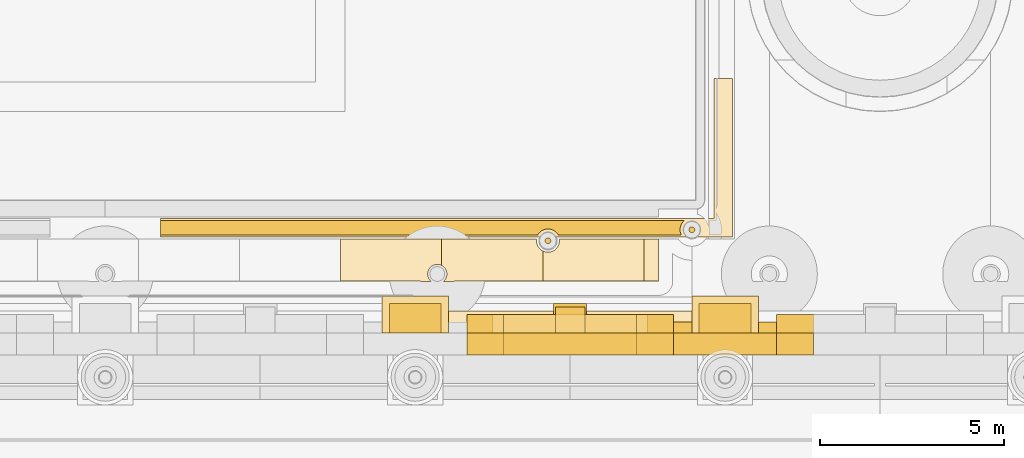
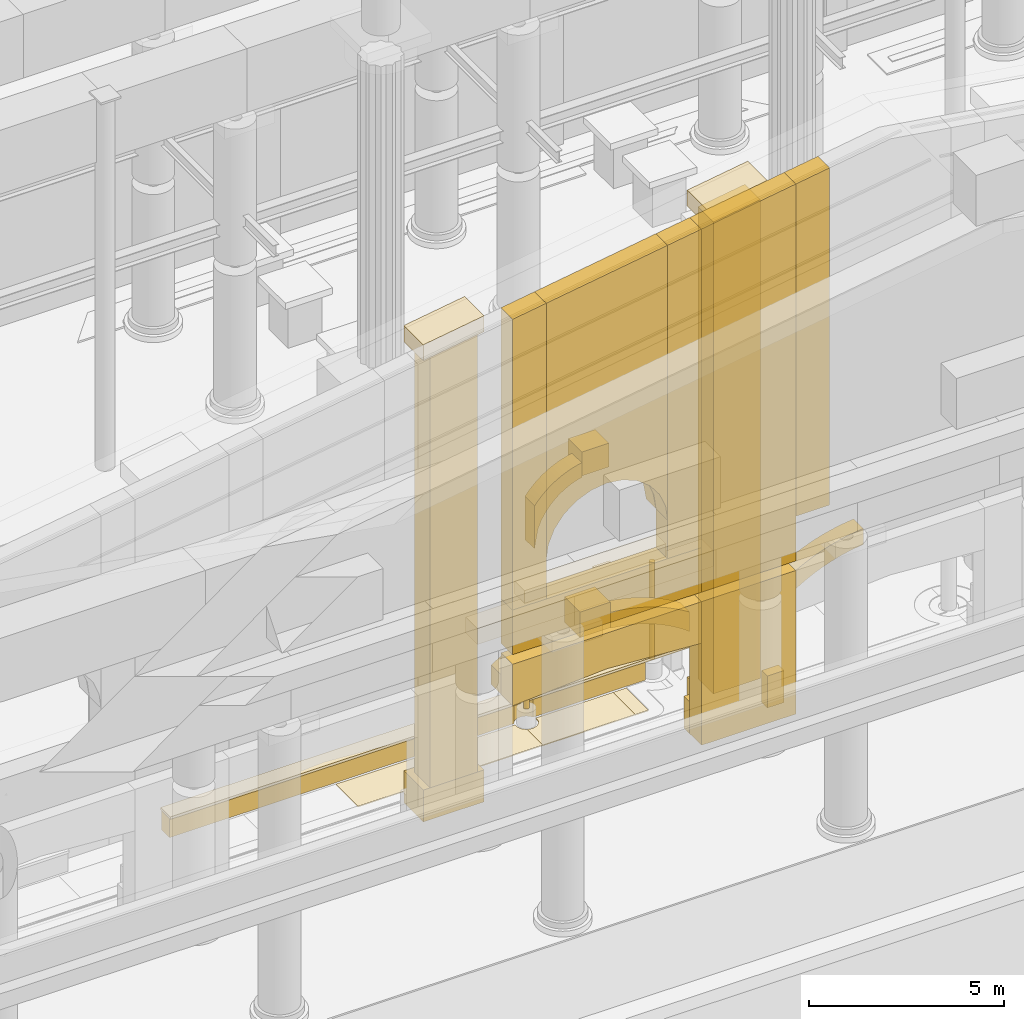
# One storey, part 121 of 222: 33 coverings.
"""IFC4 building model written with IfcOpenShell, lengths in metres."""

from ifc_helpers import new_model, si_unit, direction, frame, origin, origin_2d, place, context, subcontext, project, spatial, polyline, rectangle, circle, outline, extrude, material, layer, layer_set, type_object, element, save


model = new_model("IFC4")

# Units and contexts
model_context = context("Model", 3, precision=1e-05, world=origin(), true_north=direction((0.0, 1.0)))
body_context = subcontext(model_context, "Body", "Model", "MODEL_VIEW")
ifc_project = project(units=[si_unit("LENGTHUNIT", "METRE"), si_unit("AREAUNIT", "SQUARE_METRE"), si_unit("VOLUMEUNIT", "CUBIC_METRE"), si_unit("PLANEANGLEUNIT", "RADIAN"), si_unit("MASSUNIT", "GRAM", prefix="KILO")], contexts=[model_context])

# Site, building, storey
site_placement = place(None, origin())
site = spatial("IfcSite", under=ifc_project, at=site_placement, CompositionType="ELEMENT")
building_placement = place(site_placement, origin())
building = spatial("IfcBuilding", under=site, at=building_placement, Name="Sava Quay Ferry Terminal", CompositionType="ELEMENT")
storey_placement = place(building_placement, origin())
storey = spatial("IfcBuildingStorey", under=building, at=storey_placement, Name="L00", CompositionType="ELEMENT", Elevation=0.0)

# Coverings
ifc_material_1 = material(Name="Limestone Mutalj", Category="masonry")
ifc_layer_1 = layer(ifc_material_1, 0.60009765625)
ifc_layer_set_1 = layer_set([ifc_layer_1], Name="Limestone Mutalj")
covering_type_1 = type_object("IfcCoveringType", Name="Arcade spandrel 600", PredefinedType="CLADDING", material=ifc_layer_set_1)
covering_1_placement = place(storey_placement, frame((51.800048828125, 0.39990234375, 3.199951171875), z_axis=(0.0, 1.0, 0.0), x_axis=(0.0, 0.0, 1.0)))
element("IfcCovering", 1, at=covering_1_placement, inside=storey, type_object=covering_type_1, Name="Arcade spandrel", PredefinedType="CLADDING", context=body_context, shape_type="SweptSolid", body=[
    extrude(outline(polyline([(0.0, 0.0), (1.300048828125, 0.0), (1.300048828125, 5.599853515625), (0.0, 5.599853515625), (0.334228515625, 0.500244140625), (0.60009765625, 1.039794921875), (0.79345703125, 1.609619140625), (0.91064453125, 2.19970703125), (0.949951171875, 2.800048828125), (0.91064453125, 3.400146484375), (0.79345703125, 3.990234375), (0.60009765625, 4.56005859375), (0.334228515625, 5.099609375), (0.0, 0.0)])), origin(), (0.0, 0.0, -1.0), 0.60009765625),
])
ifc_material_2 = material(Name="Limestone Mutalj", Category="masonry")
ifc_layer_2 = layer(ifc_material_2, 0.60009765625)
ifc_layer_set_2 = layer_set([ifc_layer_2], Name="Limestone Mutalj")
covering_type_2 = type_object("IfcCoveringType", Name="Arcade wall pier 2800", PredefinedType="CLADDING", material=ifc_layer_set_2)
covering_2_placement = place(storey_placement, frame((58.800048828125, 0.10009765625, 0.0), z_axis=(0.0, 0.0, 1.0), x_axis=(1.0, 0.0, 0.0)))
element("IfcCovering", 2, at=covering_2_placement, inside=storey, type_object=covering_type_2, Name="Arcade wall pier", PredefinedType="CLADDING", context=body_context, shape_type="SweptSolid", body=[
    extrude(rectangle(XDim=2.800048828125, YDim=0.60009765625, at=origin_2d()), origin(), (0.0, 0.0, 1.0), 4.5),
])
ifc_material_3 = material(Name="Limestone Mutalj", Category="masonry")
ifc_layer_3 = layer(ifc_material_3, 0.5)
ifc_layer_set_3 = layer_set([ifc_layer_3], Name="Limestone Mutalj")
covering_type_3 = type_object("IfcCoveringType", Name="Arch archivolt 500", PredefinedType="MOLDING", material=ifc_layer_set_3)
covering_3_placement = place(storey_placement, frame((51.800048828125, 0.39990234375, 3.199951171875), z_axis=(0.0, -1.0, 0.0), x_axis=(0.807262114097, 0.0, 0.590193086324)))
element("IfcCovering", 3, at=covering_3_placement, inside=storey, type_object=covering_type_3, Name="Arch archivolt", PredefinedType="MOLDING", context=body_context, shape_type="SweptSolid", body=[
    extrude(outline(polyline([(0.0, 0.0), (0.20807213303693342, 0.0), (0.40946312569333504, -0.008724756359381552), (0.6048553291412851, -0.02606827834192732), (0.7947191130804292, -0.05055987286725966), (0.9793045583559503, -0.08268480563038433), (1.159082034667494, -0.12097238355092349), (1.3343016228602433, -0.16590787232388304), (1.5048573321979808, -0.21680892077718283), (1.6715756039617524, -0.2733724526975312), (1.8337740869794783, -0.3357044588211452), (1.9922792225322041, -0.40350186293473334), (2.146840929774747, -0.4762793993432898), (2.2977092895522895, -0.5545223337418203), (2.444634221019649, -0.6377454004353191), (2.7410275751621347, -0.23234057409331088), (2.5951112744575355, -0.14773790906029127), (2.4458279058786156, -0.0673270344139425), (2.293283460161593, 0.008209698673655286), (2.1370837663523186, 0.0791604704204335), (1.9776229954049414, 0.14523710060846096), (1.814362886256347, 0.20653068397859442), (1.6475535197517182, 0.26255595483582816), (1.476800724936906, 0.3136010933980936), (1.3020664024391628, 0.35878666301623635), (1.1232445615222704, 0.39879501486233637), (0.9401530127045152, 0.4325496268101647), (0.7522534949227826, 0.46014159360057844), (0.5596519989132898, 0.4808885640614975), (0.3618102636129225, 0.49488163293377874), (0.0, 0.0)])), origin(), (0.0, 0.0, -1.0), 0.5),
])
covering_4_placement = place(storey_placement, frame((55.050048828125, 0.39990234375, 4.1279296875), z_axis=(0.0, -1.0, 0.0), x_axis=(0.993307380301, 0.0, -0.115500858175)))
element("IfcCovering", 4, at=covering_4_placement, inside=storey, type_object=covering_type_3, Name="Arch archivolt", PredefinedType="MOLDING", context=body_context, shape_type="SweptSolid", body=[
    extrude(outline(polyline([(0.0, 0.0), (0.16910047517119814, 3.469446951953614e-18), (0.3386916034020246, -0.0063333722524431535), (0.5092865965134697, -0.019186226538567767), (0.6803722426845432, -0.03837245307713555), (0.8524617537362355, -0.06407816164938478), (1.025154711654367, -0.09708726921265261), (1.1988797329048202, -0.13685836549424574), (1.3732363994734156, -0.18417536745150137), (1.5487661216328463, -0.2394668915503016), (1.724955687562122, -0.30254682800940813), (1.9024593013407467, -0.3748138200332787), (2.0807637511477304, -0.45608175784067484), (2.2605232410625775, -0.5477492846360541), (2.4413091546194052, -0.65035781069211), (2.3705028423937384, -0.04142352555137574), (2.1917190189078077, 0.04396702589496604), (2.01367963454683, 0.12084164492706989), (1.8368415042283905, 0.18949923513298525), (1.6606632176797962, 0.2503684129785943), (1.4856015898186314, 0.3037480820519464), (1.311058813468798, 0.3505518721882115), (1.1375762989029885, 0.39035116692150745), (0.9645844373968073, 0.42381708940236024), (0.7925682423195425, 0.4510060365341754), (0.6210145018502029, 0.4721041180981913), (0.4503800309063738, 0.48741023768245734), (0.28017981611876747, 0.4968679983835679), (0.11089887085667155, 0.5005337971049285), (-0.05800421515260716, 0.4988362503124215), (0.0, 0.0)])), origin(), (0.0, 0.0, -1.0), 0.5),
])
covering_5_placement = place(storey_placement, frame((60.199951171875, 0.39990234375, 3.199951171875), z_axis=(0.0, -1.0, 0.0), x_axis=(0.807262114097, 0.0, 0.590193086324)))
element("IfcCovering", 5, at=covering_5_placement, inside=storey, type_object=covering_type_3, Name="Arch archivolt", PredefinedType="MOLDING", context=body_context, shape_type="SweptSolid", body=[
    extrude(outline(polyline([(0.0, 0.0), (0.20807213303693342, 0.0), (0.40946312569333504, -0.008724756359381552), (0.6048553291412851, -0.02606827834192732), (0.7947191130804292, -0.05055987286725966), (0.9793045583559503, -0.08268480563038433), (1.159082034667494, -0.12097238355092349), (1.3343016228602433, -0.16590787232388304), (1.5050544176750553, -0.2169530108861486), (1.6715756039617524, -0.2733724526975312), (1.8339711724565528, -0.33584854893011096), (1.9922792225322041, -0.40350186293473334), (2.1470380152518214, -0.47642348945225554), (2.2977092895522895, -0.5545223337418203), (2.4448313064967238, -0.6378894905442849), (2.741224660639209, -0.23248466420227665), (2.5951112744575355, -0.14773790906029127), (2.44602499135569, -0.06747112452290827), (2.293283460161593, 0.008209698673655286), (2.1372808518293933, 0.07901638031146774), (1.9776229954049414, 0.14523710060846096), (1.8145599717334213, 0.20638659386962865), (1.6475535197517182, 0.26255595483582816), (1.476800724936906, 0.3136010933980936), (1.3020664024391628, 0.35878666301623635), (1.1232445615222704, 0.39879501486233637), (0.9401530127045152, 0.4325496268101647), (0.7522534949227826, 0.46014159360057844), (0.5596519989132898, 0.4808885640614975), (0.3618102636129225, 0.49488163293377874), (0.0, 0.0)])), origin(), (0.0, 0.0, -1.0), 0.5),
])
ifc_material_4 = material(Name="Limestone Mutalj", Category="masonry")
ifc_layer_4 = layer(ifc_material_4, 0.800048828125)
ifc_layer_set_4 = layer_set([ifc_layer_4], Name="Limestone Mutalj")
covering_type_4 = type_object("IfcCoveringType", Name="Arch keystone 900", PredefinedType="CLADDING", material=ifc_layer_set_4)
covering_6_placement = place(storey_placement, frame((54.60009765625, 0.800048828125, 4.14990234375), z_axis=(0.0, 0.0, 1.0), x_axis=(1.0, 0.0, 0.0)))
element("IfcCovering", 6, at=covering_6_placement, inside=storey, type_object=covering_type_4, Name="Arch keystone", PredefinedType="CLADDING", context=body_context, shape_type="SweptSolid", body=[
    extrude(rectangle(XDim=0.89990234375, YDim=0.800048828125, at=origin_2d()), origin(), (0.0, 0.0, 1.0), 0.800048828125),
])
ifc_material_5 = material(Name="Limestone Mutalj", Category="masonry")
ifc_layer_5 = layer(ifc_material_5, 0.60009765625)
ifc_layer_set_5 = layer_set([ifc_layer_5], Name="Limestone Mutalj")
covering_type_5 = type_object("IfcCoveringType", Name="Attic arch head panel 600", PredefinedType="CLADDING", material=ifc_layer_set_5)
covering_7_placement = place(storey_placement, frame((52.800048828125, -0.199951171875, 7.39990234375), z_axis=(0.0, -1.0, 0.0), x_axis=(0.130360467782, 0.0, 0.991466665319)))
element("IfcCovering", 7, at=covering_7_placement, inside=storey, type_object=covering_type_5, Name="Attic arch head panel", PredefinedType="CLADDING", context=body_context, shape_type="SweptSolid", body=[
    extrude(outline(polyline([(0.0, 0.0), (0.47007576696975106, -6.938893903907228e-18), (0.9239096038088954, -0.12180908706656961), (1.3307996686807666, -0.3566594363796859), (1.6628474956806976, -0.6890123392533513), (1.8978308560459949, -1.095934230411302), (2.019343616297553, -1.5500332017691405), (2.0193117900114737, -2.019866911447554), (1.8975027029449039, -2.473700748286698), (1.6626523536317879, -2.880590813158569), (1.3302994507581225, -3.2126386401585), (0.9233775596001718, -3.4476220005237974), (0.46927858824233326, -3.5691347607753556), (9.022372977662286, -2.44455294215597), (7.99975142142182, 1.0518269286416326), (0.0, 0.0)])), origin(), (0.0, 0.0, -1.0), 0.60009765625),
])
ifc_material_6 = material(Name="Limestone Mutalj", Category="masonry")
ifc_layer_6 = layer(ifc_material_6, 0.60009765625)
ifc_layer_set_6 = layer_set([ifc_layer_6], Name="Limestone Mutalj")
covering_type_6 = type_object("IfcCoveringType", Name="Attic wall pier 2800", PredefinedType="CLADDING", material=ifc_layer_set_6)
covering_8_placement = place(storey_placement, frame((57.39990234375, -0.199951171875, 4.800048828125), z_axis=(0.0, -1.0, 0.0), x_axis=(1.0, 0.0, 0.0)))
element("IfcCovering", 8, at=covering_8_placement, inside=storey, type_object=covering_type_6, Name="Attic wall pier", PredefinedType="CLADDING", context=body_context, shape_type="SweptSolid", body=[
    extrude(outline(polyline([(0.0, 0.0), (2.800048828125, 0.0), (2.800048828125, 11.81591796875), (0.0, 11.3818359375), (0.0, 0.0)])), origin(), (0.0, 0.0, -1.0), 0.60009765625),
])
ifc_material_7 = material(Name="Limestone Mutalj", Category="masonry")
ifc_layer_7 = layer(ifc_material_7, 0.60009765625)
ifc_layer_set_7 = layer_set([ifc_layer_7], Name="Limestone Mutalj")
covering_type_7 = type_object("IfcCoveringType", Name="Attic window jamb panel 600", PredefinedType="CLADDING", material=ifc_layer_set_7)
covering_9_placement = place(storey_placement, frame((51.800048828125, -0.199951171875, 6.199951171875), z_axis=(0.0, -1.0, 0.0), x_axis=(1.0, 0.0, 0.0)))
element("IfcCovering", 9, at=covering_9_placement, inside=storey, type_object=covering_type_7, Name="Attic window jamb panel", PredefinedType="CLADDING", context=body_context, shape_type="SweptSolid", body=[
    extrude(outline(polyline([(0.0, 0.0), (1.0, 0.0), (1.0, 9.2685546875), (0.0, 9.11376953125), (0.0, 0.0)])), origin(), (0.0, 0.0, -1.0), 0.60009765625),
])
covering_10_placement = place(storey_placement, frame((56.39990234375, -0.199951171875, 6.199951171875), z_axis=(0.0, -1.0, 0.0), x_axis=(1.0, 0.0, 0.0)))
element("IfcCovering", 10, at=covering_10_placement, inside=storey, type_object=covering_type_7, Name="Attic window jamb panel", PredefinedType="CLADDING", context=body_context, shape_type="SweptSolid", body=[
    extrude(outline(polyline([(0.0, 0.0), (1.0, 0.0), (1.0, 9.98193359375), (0.0, 9.82666015625), (0.0, 0.0)])), origin(), (0.0, 0.0, -1.0), 0.60009765625),
])
covering_11_placement = place(storey_placement, frame((60.199951171875, -0.199951171875, 6.199951171875), z_axis=(0.0, -1.0, 0.0), x_axis=(1.0, 0.0, 0.0)))
element("IfcCovering", 11, at=covering_11_placement, inside=storey, type_object=covering_type_7, Name="Attic window jamb panel", PredefinedType="CLADDING", context=body_context, shape_type="SweptSolid", body=[
    extrude(outline(polyline([(0.0, 0.0), (1.0, 0.0), (1.0, 10.571044921875), (0.0, 10.416015625), (0.0, 0.0)])), origin(), (0.0, 0.0, -1.0), 0.60009765625),
])
ifc_material_8 = material(Name="Limestone Mutalj", Category="masonry")
ifc_layer_8 = layer(ifc_material_8, 0.60009765625)
ifc_layer_set_8 = layer_set([ifc_layer_8], Name="Limestone Mutalj")
covering_type_8 = type_object("IfcCoveringType", Name="Attic window sill panel 600", PredefinedType="CLADDING", material=ifc_layer_set_8)
covering_12_placement = place(storey_placement, frame((51.800048828125, -0.199951171875, 4.800048828125), z_axis=(0.0, -1.0, 0.0), x_axis=(1.0, 0.0, 0.0)))
element("IfcCovering", 12, at=covering_12_placement, inside=storey, type_object=covering_type_8, Name="Attic window sill panel", PredefinedType="CLADDING", context=body_context, shape_type="SweptSolid", body=[
    extrude(outline(polyline([(0.0, 0.0), (5.599853515625, 0.0), (5.599853515625, 1.39990234375), (0.0, 1.39990234375), (0.0, 0.0)])), origin(), (0.0, 0.0, -1.0), 0.60009765625),
])
ifc_material_9 = material(Name="Limestone Mutalj", Category="masonry")
ifc_layer_9 = layer(ifc_material_9, 0.800048828125)
ifc_layer_set_9 = layer_set([ifc_layer_9], Name="Limestone Mutalj")
covering_type_9 = type_object("IfcCoveringType", Name="Back wall pilaster 800", PredefinedType="CLADDING", material=ifc_layer_set_9)
covering_13_placement = place(storey_placement, frame((49.699951171875, 0.39990234375, 1.0), z_axis=(0.0, -1.0, 0.0), x_axis=(1.0, 0.0, 0.0)))
element("IfcCovering", 13, at=covering_13_placement, inside=storey, type_object=covering_type_9, Name="Back wall pilaster", PredefinedType="CLADDING", context=body_context, shape_type="SweptSolid", body=[
    extrude(outline(polyline([(0.0, 0.0), (1.400146484375, 0.0), (1.400146484375, 13.705078125), (0.0, 13.488037109375), (0.0, 0.0)])), origin(), (0.0, 0.0, -1.0), 0.800048828125),
])
covering_14_placement = place(storey_placement, frame((58.10009765625, 0.39990234375, 1.0), z_axis=(0.0, -1.0, 0.0), x_axis=(1.0, 0.0, 0.0)))
element("IfcCovering", 14, at=covering_14_placement, inside=storey, type_object=covering_type_9, Name="Back wall pilaster", PredefinedType="CLADDING", context=body_context, shape_type="SweptSolid", body=[
    extrude(outline(polyline([(0.0, 0.0), (1.39990234375, 0.0), (1.39990234375, 15.00732421875), (0.0, 14.790283203125), (0.0, 0.0)])), origin(), (0.0, 0.0, -1.0), 0.800048828125),
])
ifc_material_10 = material(Name="Limestone Mutalj", Category="masonry")
ifc_layer_10 = layer(ifc_material_10, 1.0)
ifc_layer_set_10 = layer_set([ifc_layer_10], Name="Limestone Mutalj")
covering_type_10 = type_object("IfcCoveringType", Name="Back wall pilaster base 1000", PredefinedType="MOLDING", material=ifc_layer_set_10)
for number, where, z_axis, x_axis, name in (
    (15, (50.39990234375, 0.89990234375, 0.0), (0.0, 0.0, 1.0), (1.0, 0.0, 0.0), "Back wall pilaster base"),
    (16, (58.800048828125, 0.89990234375, 0.0), (0.0, 0.0, 1.0), (1.0, 0.0, 0.0), "Back wall pilaster base"),
):
    element("IfcCovering", number, at=place(storey_placement, frame(where, z_axis=z_axis, x_axis=x_axis)), inside=storey, type_object=covering_type_10, Name=name, PredefinedType="MOLDING", context=body_context, shape_type="SweptSolid", body=[
        extrude(rectangle(XDim=1.800048828125, YDim=1.0, at=origin_2d()), origin(), (0.0, 0.0, 1.0), 1.0),
    ])
ifc_material_11 = material(Name="Limestone Mutalj", Category="masonry")
ifc_layer_11 = layer(ifc_material_11, 1.0)
ifc_layer_set_11 = layer_set([ifc_layer_11], Name="Limestone Mutalj")
covering_type_11 = type_object("IfcCoveringType", Name="Back wall pilaster capital 1000", PredefinedType="MOLDING", material=ifc_layer_set_11)
for number, where, z_axis, x_axis, name in (
    (17, (49.5, 0.39990234375, 14.45703125), (0.0, -1.0, 0.0), (0.988195952481, 0.0, 0.153195168003), "Back wall pilaster capital"),
    (18, (57.89990234375, 0.39990234375, 15.75927734375), (0.0, -1.0, 0.0), (0.988195952481, 0.0, 0.153195168003), "Back wall pilaster capital"),
):
    element("IfcCovering", number, at=place(storey_placement, frame(where, z_axis=z_axis, x_axis=x_axis)), inside=storey, type_object=covering_type_11, Name=name, PredefinedType="MOLDING", context=body_context, shape_type="SweptSolid", body=[
        extrude(outline(polyline([(0.0, 0.0), (1.8215504967462062, 0.0), (1.8981480807477107, 0.4940979762406768), (0.07659758400150464, 0.49409797624067686), (0.0, 0.0)])), origin(), (0.0, 0.0, -1.0), 1.0),
    ])
ifc_material_12 = material(Name="Limestone Mutalj", Category="masonry")
ifc_layer_12 = layer(ifc_material_12, 0.030029296875)
ifc_layer_set_12 = layer_set([ifc_layer_12], Name="Limestone Mutalj")
covering_type_12 = type_object("IfcCoveringType", Name="Court paving tile 30", PredefinedType="FLOORING", material=ifc_layer_set_12)
covering_15_placement = place(storey_placement, origin())
element("IfcCovering", 19, at=covering_15_placement, inside=storey, type_object=covering_type_12, Name="Limestone paving tile", PredefinedType="FLOORING", context=body_context, shape_type="SweptSolid", body=[
    extrude(outline(polyline([(51.4580078125, 1.81005859375), (53.860107421875, 1.81005859375), (53.860107421875, 2.6240234375), (53.827880859375, 2.64208984375), (53.781005859375, 2.679931640625), (53.760986328125, 2.702880859375), (53.741943359375, 2.72802734375), (53.72607421875, 2.75390625), (53.702880859375, 2.81005859375), (53.696044921875, 2.839111328125), (53.69189453125, 2.868896484375), (53.68994140625, 2.89990234375), (53.695068359375, 2.949951171875), (51.1201171875, 2.949951171875), (51.1201171875, 2.23095703125), (51.1650390625, 2.200927734375), (51.200927734375, 2.1650390625), (51.216064453125, 2.14404296875), (51.22998046875, 2.1220703125), (51.239990234375, 2.10009765625), (51.2490234375, 2.074951171875), (51.259033203125, 2.02490234375), (51.259033203125, 1.97509765625), (51.2548828125, 1.948974609375), (51.2490234375, 1.924072265625), (51.239990234375, 1.89990234375), (51.22900390625, 1.876953125), (51.216064453125, 1.85498046875), (51.200927734375, 1.8349609375), (51.166015625, 1.800048828125), (51.447021484375, 1.800048828125), (51.450927734375, 1.80810546875), (51.4580078125, 1.81005859375)])), origin(), (0.0, 0.0, 1.0), 0.030029296875),
])
covering_16_placement = place(storey_placement, origin())
element("IfcCovering", 20, at=covering_16_placement, inside=storey, type_object=covering_type_12, Name="Limestone paving tile", PredefinedType="FLOORING", context=body_context, shape_type="SweptSolid", body=[
    extrude(outline(polyline([(56.989990234375, 1.81005859375), (56.989990234375, 2.949951171875), (56.60009765625, 2.949951171875), (56.60009765625, 1.81005859375), (56.989990234375, 1.81005859375)])), origin(), (0.0, 0.0, 1.0), 0.030029296875),
])
ifc_material_13 = material(Name="Red sandstone Vrsac", Category="masonry")
ifc_layer_13 = layer(ifc_material_13, 0.030029296875)
ifc_layer_set_13 = layer_set([ifc_layer_13], Name="Red sandstone Vrsac")
covering_type_13 = type_object("IfcCoveringType", Name="Court paving tile sandstone 30", PredefinedType="FLOORING", material=ifc_layer_set_13)
covering_17_placement = place(storey_placement, origin())
element("IfcCovering", 21, at=covering_17_placement, inside=storey, type_object=covering_type_13, Name="Sandstone paving tile", PredefinedType="FLOORING", context=body_context, shape_type="SweptSolid", body=[
    extrude(outline(polyline([(51.1201171875, 2.23095703125), (51.1201171875, 2.949951171875), (48.3798828125, 2.949951171875), (48.3798828125, 1.81005859375), (50.5419921875, 1.81005859375), (50.548095703125, 1.80810546875), (50.552978515625, 1.800048828125), (50.833984375, 1.800048828125), (50.799072265625, 1.8349609375), (50.77001953125, 1.8779296875), (50.7509765625, 1.925048828125), (50.7451171875, 1.948974609375), (50.740966796875, 1.97412109375), (50.740966796875, 2.02587890625), (50.7509765625, 2.075927734375), (50.77001953125, 2.1220703125), (50.799072265625, 2.1650390625), (50.8349609375, 2.200927734375), (50.8779296875, 2.22998046875), (50.925048828125, 2.2490234375), (50.97509765625, 2.259033203125), (51.02490234375, 2.259033203125), (51.074951171875, 2.2490234375), (51.1201171875, 2.23095703125)])), origin(), (0.0, 0.0, 1.0), 0.030029296875),
])
covering_18_placement = place(storey_placement, origin())
element("IfcCovering", 22, at=covering_18_placement, inside=storey, type_object=covering_type_13, Name="Sandstone paving tile", PredefinedType="FLOORING", context=body_context, shape_type="SweptSolid", body=[
    extrude(outline(polyline([(53.860107421875, 1.81005859375), (56.60009765625, 1.81005859375), (56.60009765625, 2.949951171875), (54.304931640625, 2.949951171875), (54.31005859375, 2.89990234375), (54.30810546875, 2.868896484375), (54.303955078125, 2.839111328125), (54.297119140625, 2.81005859375), (54.285888671875, 2.781005859375), (54.27294921875, 2.7529296875), (54.257080078125, 2.72705078125), (54.239990234375, 2.7041015625), (54.219970703125, 2.680908203125), (54.196044921875, 2.659912109375), (54.172119140625, 2.64208984375), (54.14599609375, 2.6259765625), (54.118896484375, 2.614013671875), (54.06103515625, 2.595947265625), (54.030029296875, 2.591064453125), (54.0, 2.590087890625), (53.969970703125, 2.591064453125), (53.93994140625, 2.595947265625), (53.882080078125, 2.613037109375), (53.860107421875, 2.6240234375), (53.860107421875, 1.81005859375)])), origin(), (0.0, 0.0, 1.0), 0.030029296875),
])
ifc_material_14 = material(Name="Limestone Mutalj", Category="masonry")
ifc_layer_14 = layer(ifc_material_14, 0.60009765625)
ifc_layer_set_14 = layer_set([ifc_layer_14], Name="Limestone Mutalj")
covering_type_14 = type_object("IfcCoveringType", Name="Face string course 600", PredefinedType="MOLDING", material=ifc_layer_set_14)
covering_19_placement = place(storey_placement, frame((54.60009765625, 0.699951171875, 5.0), z_axis=(0.0, 0.0, 1.0), x_axis=(1.0, 0.0, 0.0)))
element("IfcCovering", 23, at=covering_19_placement, inside=storey, type_object=covering_type_14, Name="Face string course", PredefinedType="MOLDING", context=body_context, shape_type="SweptSolid", body=[
    extrude(rectangle(XDim=7.0, YDim=0.60009765625, at=origin_2d()), origin(), (0.0, 0.0, 1.0), 0.5),
])
ifc_material_15 = material(Name="Limestone Mutalj", Category="masonry")
ifc_layer_15 = layer(ifc_material_15, 0.080078125)
ifc_layer_set_15 = layer_set([ifc_layer_15], Name="Limestone Mutalj")
covering_type_15 = type_object("IfcCoveringType", Name="Garden bed wall coping 450", PredefinedType="MOLDING", material=ifc_layer_set_15)
covering_20_placement = place(storey_placement, frame((0.0, 0.0, 0.60009765625)))
element("IfcCovering", 24, at=covering_20_placement, inside=storey, type_object=covering_type_15, Name="Garden bed wall coping", PredefinedType="MOLDING", context=body_context, shape_type="SweptSolid", body=[
    extrude(outline(polyline([(54.112060546875, 3.0), (59.0, 3.0), (59.0, 7.300048828125), (58.5, 7.300048828125), (58.5, 3.5), (43.5, 3.5), (43.5, 3.0), (53.887939453125, 3.0), (53.904052734375, 3.014892578125), (53.916015625, 3.02392578125), (53.94189453125, 3.0380859375), (53.971923828125, 3.047119140625), (54.0009765625, 3.050048828125), (54.030029296875, 3.047119140625), (54.05810546875, 3.0380859375), (54.083984375, 3.02392578125), (54.095947265625, 3.014892578125), (54.112060546875, 3.0)]), holes=[polyline([(58.049072265625, 3.18603515625), (58.0439453125, 3.156982421875), (58.032958984375, 3.1298828125), (58.01708984375, 3.10595703125), (57.99609375, 3.0849609375), (57.971923828125, 3.068115234375), (57.944091796875, 3.056884765625), (57.916015625, 3.051025390625), (57.885986328125, 3.051025390625), (57.85693359375, 3.055908203125), (57.830078125, 3.06689453125), (57.805908203125, 3.0830078125), (57.784912109375, 3.10400390625), (57.76806640625, 3.1279296875), (57.757080078125, 3.156005859375), (57.7509765625, 3.18408203125), (57.7509765625, 3.214111328125), (57.756103515625, 3.242919921875), (57.76708984375, 3.27001953125), (57.782958984375, 3.2939453125), (57.803955078125, 3.31494140625), (57.827880859375, 3.33203125), (57.85595703125, 3.343017578125), (57.884033203125, 3.34912109375), (57.9140625, 3.34912109375), (57.943115234375, 3.343994140625), (57.969970703125, 3.3330078125), (57.993896484375, 3.31689453125), (58.014892578125, 3.2958984375), (58.031982421875, 3.27197265625), (58.04296875, 3.243896484375), (58.049072265625, 3.216064453125), (58.049072265625, 3.18603515625)])]), origin(), (0.0, 0.0, 1.0), 0.079833984375),
])
ifc_material_16 = material(Name="Steel S355", Category="steel")
ifc_layer_16 = layer(ifc_material_16, 0.159912109375)
ifc_layer_set_16 = layer_set([ifc_layer_16], Name="Steel S355")
covering_type_16 = type_object("IfcCoveringType", Name="Lamp standard column 160", PredefinedType="CLADDING", material=ifc_layer_set_16)
for number, where, z_axis, x_axis, name in (
    (25, (57.89990234375, 3.199951171875, 3.550048828125), (0.0, 0.0, -1.0), (1.0, 0.0, 0.0), "Lamp standard column"),
    (26, (54.0, 2.89990234375, 3.550048828125), (0.0, 0.0, -1.0), (1.0, 0.0, 0.0), "Lamp standard column"),
):
    element("IfcCovering", number, at=place(storey_placement, frame(where, z_axis=z_axis, x_axis=x_axis)), inside=storey, type_object=covering_type_16, Name=name, PredefinedType="CLADDING", context=body_context, shape_type="SweptSolid", body=[
        extrude(circle(Radius=0.080078125, at=origin_2d()), origin(), (0.0, 0.0, 1.0), 3.050048828125),
    ])
ifc_material_17 = material(Name="Limestone Mutalj", Category="masonry")
ifc_layer_17 = layer(ifc_material_17, 0.300048828125)
ifc_layer_set_17 = layer_set([ifc_layer_17], Name="Limestone Mutalj")
covering_type_17 = type_object("IfcCoveringType", Name="Pier rustication block 300", PredefinedType="CLADDING", material=ifc_layer_set_17)
for number, where, z_axis, x_axis, name in (
    (27, (57.64990234375, 0.550048828125, 0.0), (0.0, 0.0, 1.0), (1.0, 0.0, 0.0), "Pier rustication block"),
    (28, (59.949951171875, 0.550048828125, 0.0), (0.0, 0.0, 1.0), (1.0, 0.0, 0.0), "Pier rustication block"),
):
    element("IfcCovering", number, at=place(storey_placement, frame(where, z_axis=z_axis, x_axis=x_axis)), inside=storey, type_object=covering_type_17, Name=name, PredefinedType="CLADDING", context=body_context, shape_type="SweptSolid", body=[
        extrude(rectangle(XDim=0.5, YDim=0.300048828125, at=origin_2d()), origin(), (0.0, 0.0, 1.0), 1.0),
    ])
ifc_material_18 = material(Name="Limestone Mutalj", Category="masonry")
ifc_layer_18 = layer(ifc_material_18, 0.39990234375)
ifc_layer_set_18 = layer_set([ifc_layer_18], Name="Limestone Mutalj")
covering_type_18 = type_object("IfcCoveringType", Name="Retaining wall 400", PredefinedType="CLADDING", material=ifc_layer_set_18)
covering_21_placement = place(storey_placement, origin())
element("IfcCovering", 29, at=covering_21_placement, inside=storey, type_object=covering_type_18, Name="Retaining wall", PredefinedType="CLADDING", context=body_context, shape_type="SweptSolid", body=[
    extrude(outline(polyline([(54.282958984375, 3.050048828125), (57.616943359375, 3.050048828125), (57.60498046875, 3.076904296875), (57.593994140625, 3.10595703125), (57.5859375, 3.136962890625), (57.58203125, 3.16796875), (57.580078125, 3.198974609375), (57.5810546875, 3.22998046875), (57.5859375, 3.262939453125), (57.593994140625, 3.2939453125), (57.60498046875, 3.322998046875), (57.617919921875, 3.35205078125), (57.633056640625, 3.376953125), (57.652099609375, 3.402099609375), (57.673095703125, 3.426025390625), (57.700927734375, 3.449951171875), (43.5, 3.449951171875), (43.5, 3.050048828125), (53.717041015625, 3.050048828125), (53.73388671875, 3.0791015625), (53.7529296875, 3.10400390625), (53.77294921875, 3.1259765625), (53.798095703125, 3.14794921875), (53.821044921875, 3.166015625), (53.847900390625, 3.181884765625), (53.8779296875, 3.196044921875), (53.907958984375, 3.2060546875), (53.93701171875, 3.214111328125), (53.969970703125, 3.218994140625), (54.0009765625, 3.219970703125), (54.030029296875, 3.218994140625), (54.06103515625, 3.214111328125), (54.092041015625, 3.2060546875), (54.123046875, 3.195068359375), (54.152099609375, 3.181884765625), (54.177001953125, 3.1669921875), (54.201904296875, 3.14794921875), (54.22705078125, 3.1259765625), (54.2470703125, 3.10400390625), (54.26611328125, 3.0791015625), (54.282958984375, 3.050048828125)])), origin(), (0.0, 0.0, 1.0), 0.60009765625),
])
ifc_material_19 = material(Name="Limestone Mutalj", Category="masonry")
ifc_layer_19 = layer(ifc_material_19, 0.5)
ifc_layer_set_19 = layer_set([ifc_layer_19], Name="Limestone Mutalj")
covering_type_19 = type_object("IfcCoveringType", Name="Window archivolt 450", PredefinedType="MOLDING", material=ifc_layer_set_19)
covering_22_placement = place(storey_placement, frame((52.800048828125, 0.39990234375, 7.39990234375), z_axis=(0.0, -1.0, 0.0), x_axis=(0.166377641134, 0.0, 0.986062107846)))
element("IfcCovering", 30, at=covering_22_placement, inside=storey, type_object=covering_type_19, Name="Window archivolt", PredefinedType="MOLDING", context=body_context, shape_type="SweptSolid", body=[
    extrude(outline(polyline([(0.0, 0.0), (0.6001618663680972, 0.0), (0.8464797579087572, -0.05995146351930278), (1.0311687677090124, -0.1303015296094907), (1.1823546010854897, -0.20605697412004037), (1.3109516989892047, -0.28587139333138545), (1.4228972678200338, -0.36824782307261594), (1.521402138311442, -0.45313968494552603), (1.6090738069344195, -0.5398594261765993), (1.686834605424868, -0.6280038307813677), (1.7564509376004613, -0.7177700376093801), (1.8183230400172117, -0.8085953319394548), (1.8732543652155995, -0.9008393307863108), (1.9214450314736302, -0.9942206767893577), (1.9635766327079072, -1.088376773505419), (2.416404470808302, -1.0119714163341889), (2.3795691015985914, -0.9169216897096921), (2.338119094280917, -0.8224029965504548), (2.2916135927579755, -0.7287373137583606), (2.2400932165710588, -0.6361653791527075), (2.1832359888182835, -0.5442463366361916), (2.120641672943638, -0.45354290092999444), (2.0519882920452384, -0.36361421593681204), (1.9765942522064819, -0.27482287809982003), (1.8940186973300643, -0.18749086432090212), (1.8034581748755054, -0.10125855758533892), (1.7037902348288976, -0.01681053123818993), (1.5932484733725667, 0.06605035357009414), (1.4699476074934175, 0.14675840268987458), (1.3312801407204597, 0.22462606334763535), (0.0, 0.0)])), origin(), (0.0, 0.0, -1.0), 0.5),
])
covering_23_placement = place(storey_placement, frame((55.0, 0.39990234375, 9.155029296875), z_axis=(0.0, -1.0, 0.0), x_axis=(0.968166647099, 0.0, -0.250306499006)))
element("IfcCovering", 31, at=covering_23_placement, inside=storey, type_object=covering_type_19, Name="Window archivolt", PredefinedType="MOLDING", context=body_context, shape_type="SweptSolid", body=[
    extrude(outline(polyline([(0.0, 0.0), (0.10338887065559549, 3.469446951953614e-18), (0.20806912212858697, -0.005970330243282702), (0.3146968219949552, -0.01849787719061112), (0.42286034261915506, -0.03794122962253005), (0.5332157515771674, -0.06488727399980251), (0.6456489000288829, -0.09986985792819128), (0.7603511890597372, -0.14460467306509403), (0.8780397962308196, -0.19991497468160066), (0.9989141937576748, -0.26852303966152546), (1.1242415490673723, -0.35337944256890097), (1.2553132429773082, -0.46045451364701), (1.3946428560070567, -0.6004459593456741), (1.5498529940350156, -0.8008867105029287), (1.7946584413627589, -1.348850722825911), (1.456720223710436, -0.04173120171786998), (1.3290626178364908, 0.05311380120834647), (1.2050796821991896, 0.132770090288529), (1.084571944582988, 0.19995994240649212), (0.9665777874863608, 0.2564520880746335), (0.8509058098238726, 0.30396221895035075), (0.7374868304803056, 0.34373328907038747), (0.6256647818796794, 0.3763521848955068), (0.5157901816724297, 0.4024138640165803), (0.40720696228257613, 0.4225052128943712), (0.30009038253533654, 0.4369237103243152), (0.1945545912708202, 0.4462032039121753), (0.09006574088326413, 0.45045784249806037), (-0.012903431006677638, 0.44980984605218843), (-0.11494788198987689, 0.4446097322249955), (0.0, 0.0)])), origin(), (0.0, 0.0, -1.0), 0.5),
])
ifc_material_20 = material(Name="Limestone Mutalj", Category="masonry")
ifc_layer_20 = layer(ifc_material_20, 0.699951171875)
ifc_layer_set_20 = layer_set([ifc_layer_20], Name="Limestone Mutalj")
covering_type_20 = type_object("IfcCoveringType", Name="Window keystone 800", PredefinedType="CLADDING", material=ifc_layer_set_20)
covering_24_placement = place(storey_placement, frame((54.60009765625, 0.75, 9.199951171875), z_axis=(0.0, 0.0, 1.0), x_axis=(1.0, 0.0, 0.0)))
element("IfcCovering", 32, at=covering_24_placement, inside=storey, type_object=covering_type_20, Name="Window keystone", PredefinedType="CLADDING", context=body_context, shape_type="SweptSolid", body=[
    extrude(rectangle(XDim=0.800048828125, YDim=0.699951171875, at=origin_2d()), origin(), (0.0, 0.0, 1.0), 0.75),
])
ifc_material_21 = material(Name="Limestone Mutalj", Category="masonry")
ifc_layer_21 = layer(ifc_material_21, 0.5)
ifc_layer_set_21 = layer_set([ifc_layer_21], Name="Limestone Mutalj")
covering_type_21 = type_object("IfcCoveringType", Name="Window sill band 400", PredefinedType="MOLDING", material=ifc_layer_set_21)
covering_25_placement = place(storey_placement, frame((54.60009765625, 0.64990234375, 5.800048828125), z_axis=(0.0, 0.0, 1.0), x_axis=(1.0, 0.0, 0.0)))
element("IfcCovering", 33, at=covering_25_placement, inside=storey, type_object=covering_type_21, Name="Window sill band", PredefinedType="MOLDING", context=body_context, shape_type="SweptSolid", body=[
    extrude(rectangle(XDim=4.199951171875, YDim=0.5, at=origin_2d()), origin(), (0.0, 0.0, 1.0), 0.39990234375),
])

save(model, "model.ifc")
